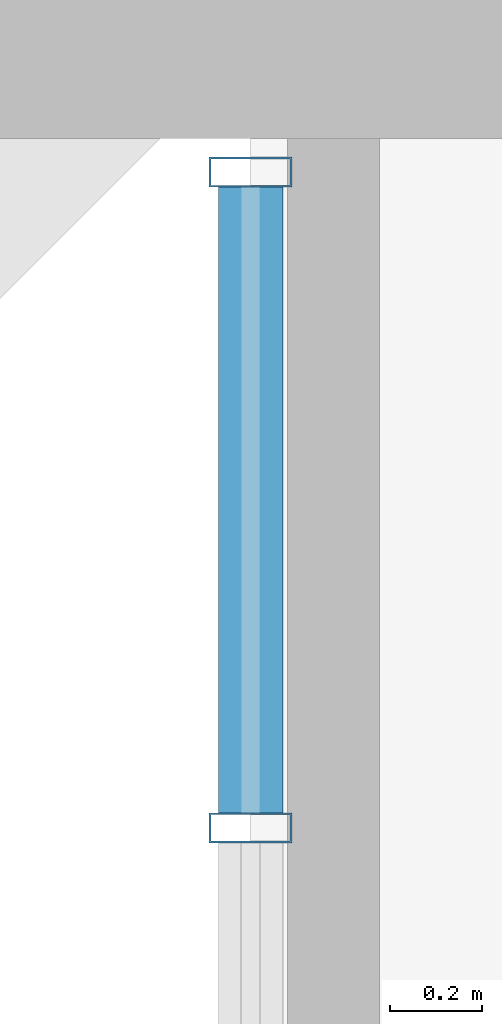
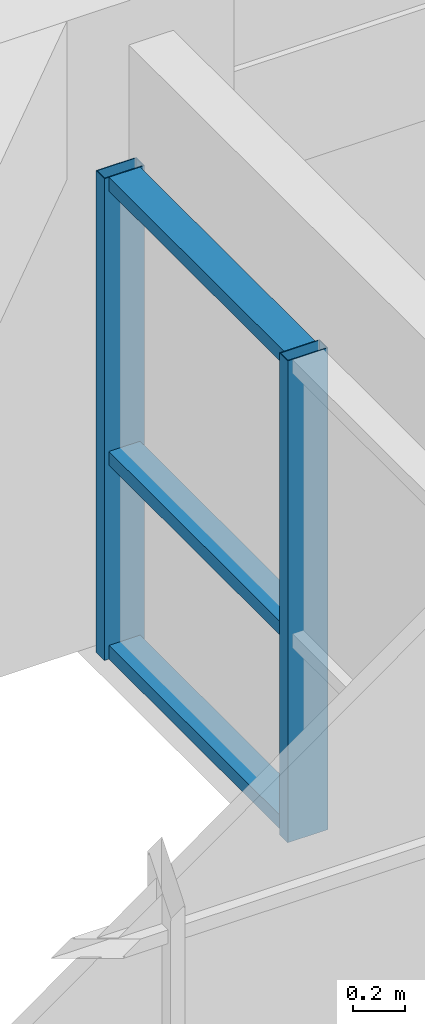
# One storey, part 8 of 28: 5 members, 1 element without a shape of its own.
"""IFC4 building model written with IfcOpenShell, lengths in metres."""

from ifc_helpers import new_model, si_unit, direction, frame, origin, origin_2d, place, context, subcontext, project, spatial, hollow_rectangle, extrude, source, transform, mapped, material, layer, layer_set, material_profile, profile_set, type_object, element, aggregate, save


model = new_model("IFC4")

# Units and contexts
model_context = context("Model", 3, precision=1e-05, world=origin(), true_north=direction((0.0, 1.0)))
body_context = subcontext(model_context, "Body", "Model", "MODEL_VIEW")
ifc_project = project(units=[si_unit("LENGTHUNIT", "METRE"), si_unit("AREAUNIT", "SQUARE_METRE"), si_unit("VOLUMEUNIT", "CUBIC_METRE"), si_unit("PLANEANGLEUNIT", "RADIAN"), si_unit("MASSUNIT", "GRAM", prefix="KILO")], contexts=[model_context])

# Site, building, storey
site_placement = place(None, origin())
site = spatial("IfcSite", under=ifc_project, at=site_placement, CompositionType="ELEMENT")
building_placement = place(site_placement, origin())
building = spatial("IfcBuilding", under=site, at=building_placement, Name="Saelheon Loggia Tower", CompositionType="ELEMENT")
storey_placement = place(building_placement, frame((0.0, 0.0, 25.39990234375)))
storey = spatial("IfcBuildingStorey", under=building, at=storey_placement, Name="L07", CompositionType="ELEMENT", Elevation=25.39990234375)

# Curtain wall, members
ifc_material_1 = material(Name="Thermal-Break Aluminium and Triple Low-E Glass", Category="aluminium")
ifc_layer = layer(ifc_material_1, 0.159912109375)
ifc_layer_set = layer_set([ifc_layer], Name="Thermal-Break Aluminium and Triple Low-E Glass")
curtain_wall_type = type_object("IfcCurtainWallType", Name="CW_TowerLoggiaLow", PredefinedType="NOTDEFINED", material=ifc_layer_set)
curtain_wall_placement = place(storey_placement, origin())
curtain_wall = element("IfcCurtainWall", 1, at=curtain_wall_placement, inside=storey, type_object=curtain_wall_type, Name="L07 Corner Notch Glazing NW1", PredefinedType="NOTDEFINED")
ifc_material_2 = material(Name="Anodised Aluminium 6063-T6", Category="aluminium")
ifc_material_profile_1 = material_profile(ifc_material_2, hollow_rectangle(XDim=0.06494140625, YDim=0.179931640625, WallThickness=0.00390625, at=origin_2d()), Name="RHS-180x65x4")
ifc_profile_set_1 = profile_set([ifc_material_profile_1], Name="Anodised Aluminium 6063-T6")
member_type_1 = type_object("IfcMemberType", Name="CW_TowerLoggiaLow_Mullion", PredefinedType="MULLION", material=ifc_profile_set_1)
shared_shape_1 = source(origin(), body_context, "Body", "SweptSolid", [
    extrude(hollow_rectangle(XDim=0.06494140625, YDim=0.179931640625, WallThickness=0.00390625, at=origin_2d()), origin(), (0.0, 0.0, 1.0), 2.280029296875),
])
member_1_placement = place(storey_placement, frame((15.5, 48.955078125, 0.0), z_axis=(0.0, 0.0, 1.0), x_axis=(0.0, 1.0, 0.0)))
member_1 = element("IfcMember", 2, at=member_1_placement, type_object=member_type_1, Name="CW3 mullion 2", PredefinedType="MULLION", context=body_context, shape_type="MappedRepresentation", body=[
    mapped(shared_shape_1, transform((0.0, 0.0, 0.0), scale=1.0)),
])
member_2_placement = place(storey_placement, frame((15.5, 50.37744140625, 0.0), z_axis=(0.0, 0.0, 1.0), x_axis=(0.0, 1.0, 0.0)))
member_2 = element("IfcMember", 3, at=member_2_placement, type_object=member_type_1, Name="CW3 mullion 3", PredefinedType="MULLION", context=body_context, shape_type="MappedRepresentation", body=[
    mapped(shared_shape_1, transform((0.0, 0.0, 0.0), scale=1.0)),
])
ifc_material_profile_2 = material_profile(ifc_material_2, hollow_rectangle(XDim=0.06494140625, YDim=0.139892578125, WallThickness=0.00390625, at=origin_2d()), Name="RHS-140x65x4")
ifc_profile_set_2 = profile_set([ifc_material_profile_2], Name="Anodised Aluminium 6063-T6")
member_type_2 = type_object("IfcMemberType", Name="CW_TowerLoggiaLow_Transom", PredefinedType="USERDEFINED", material=ifc_profile_set_2)
shared_shape_2 = source(origin(), body_context, "Body", "SweptSolid", [
    extrude(hollow_rectangle(XDim=0.06494140625, YDim=0.139892578125, WallThickness=0.00390625, at=origin_2d()), origin(), (0.0, 0.0, 1.0), 1.357421875),
])
member_3_placement = place(storey_placement, frame((15.5, 48.987548828125, 0.03271484375), z_axis=(0.0, 1.0, 0.0), x_axis=(0.0, 0.0, 1.0)))
member_3 = element("IfcMember", 4, at=member_3_placement, type_object=member_type_2, Name="CW3 transom 2.1", ObjectType="TRANSOM", PredefinedType="USERDEFINED", context=body_context, shape_type="MappedRepresentation", body=[
    mapped(shared_shape_2, transform((0.0, 0.0, 0.0), scale=1.0)),
])
member_4_placement = place(storey_placement, frame((15.5, 48.987548828125, 0.9501953125), z_axis=(0.0, 1.0, 0.0), x_axis=(0.0, 0.0, 1.0)))
member_4 = element("IfcMember", 5, at=member_4_placement, type_object=member_type_2, Name="CW3 transom 2.2", ObjectType="TRANSOM", PredefinedType="USERDEFINED", context=body_context, shape_type="MappedRepresentation", body=[
    mapped(shared_shape_2, transform((0.0, 0.0, 0.0), scale=1.0)),
])
member_5_placement = place(storey_placement, frame((15.5, 48.987548828125, 2.24755859375), z_axis=(0.0, 1.0, 0.0), x_axis=(0.0, 0.0, 1.0)))
member_5 = element("IfcMember", 6, at=member_5_placement, type_object=member_type_2, Name="CW3 transom 2.3", ObjectType="TRANSOM", PredefinedType="USERDEFINED", context=body_context, shape_type="MappedRepresentation", body=[
    mapped(shared_shape_2, transform((0.0, 0.0, 0.0), scale=1.0)),
])
aggregate(curtain_wall, [member_1, member_2, member_3, member_4, member_5])

save(model, "model.ifc")
